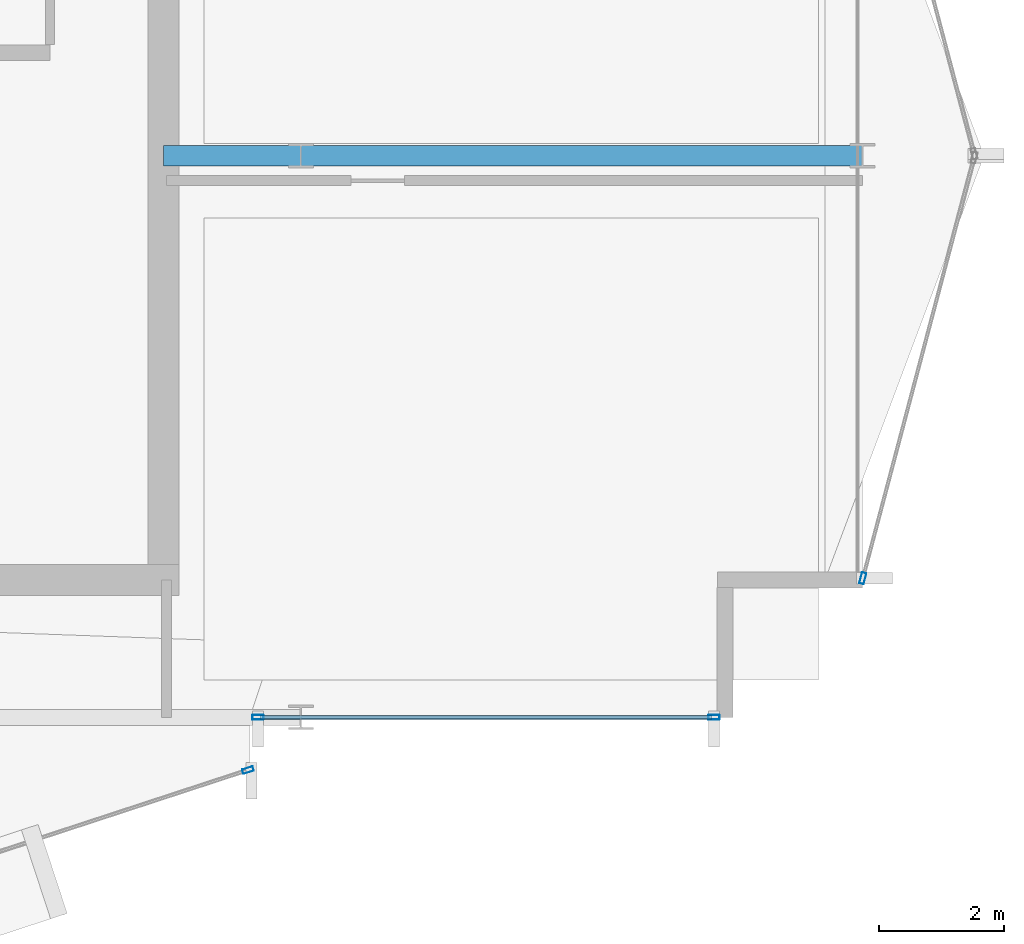
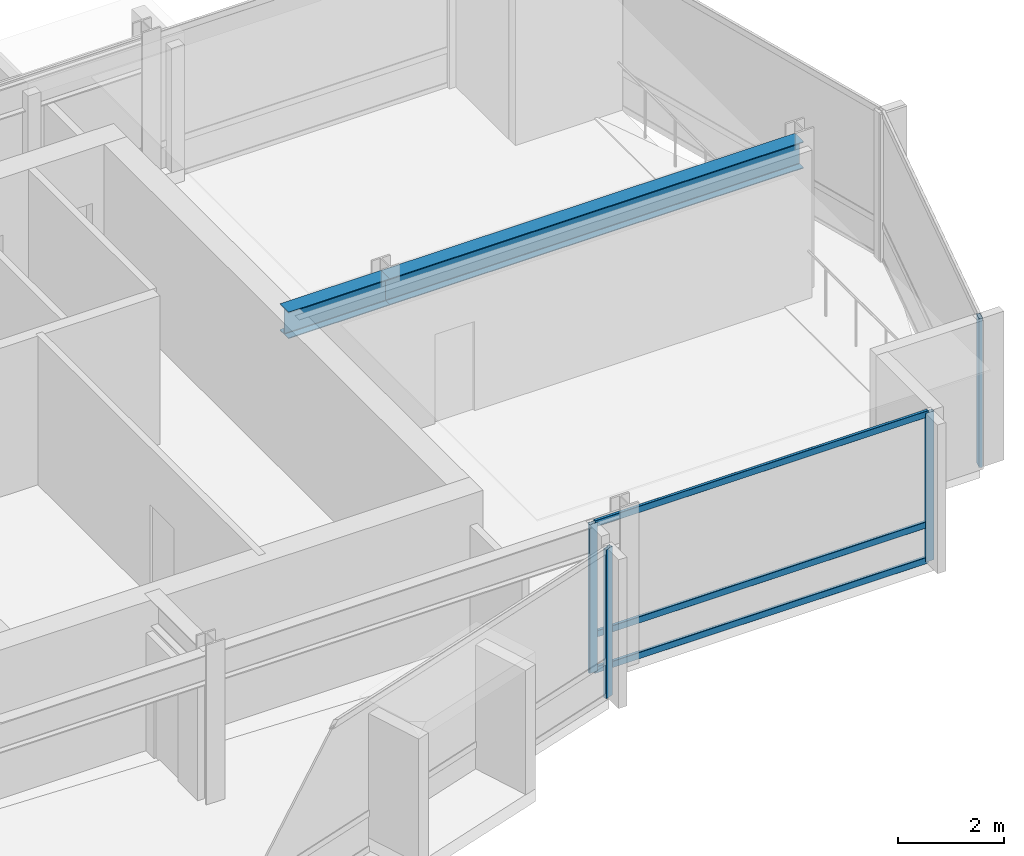
# One storey, part 10 of 27: 7 members, 2 beams, 3 elements without a shape of their own.
"""IFC4 building model written with IfcOpenShell, lengths in metres."""

from ifc_helpers import new_model, si_unit, direction, frame, origin, origin_2d, place, context, subcontext, project, spatial, hollow_rectangle, i_section, extrude, material, layer, layer_set, material_profile, profile_set, type_object, element, aggregate, save


model = new_model("IFC4")

# Units and contexts
model_context = context("Model", 3, precision=1e-05, world=origin(), true_north=direction((0.0, 1.0)))
body_context = subcontext(model_context, "Body", "Model", "MODEL_VIEW")
ifc_project = project(units=[si_unit("LENGTHUNIT", "METRE"), si_unit("AREAUNIT", "SQUARE_METRE"), si_unit("VOLUMEUNIT", "CUBIC_METRE"), si_unit("PLANEANGLEUNIT", "RADIAN"), si_unit("MASSUNIT", "GRAM", prefix="KILO")], contexts=[model_context])

# Site, building, storey
site_placement = place(None, origin())
site = spatial("IfcSite", under=ifc_project, at=site_placement, CompositionType="ELEMENT")
building_placement = place(site_placement, origin())
building = spatial("IfcBuilding", under=site, at=building_placement, Name="Solvaryn Broadcast Tower", CompositionType="ELEMENT")
storey_placement = place(building_placement, frame((0.0, 0.0, 221.0)))
storey = spatial("IfcBuildingStorey", under=building, at=storey_placement, Name="L55", CompositionType="ELEMENT", Elevation=221.0)

# Beams
ifc_material_1 = material(Name="Steel ASTM A992 Grade 50", Category="steel")
ifc_material_profile_1 = material_profile(ifc_material_1, i_section(OverallWidth=0.323974609375, OverallDepth=0.611083984375, WebThickness=0.0126953125, FlangeThickness=0.01904296875, FilletRadius=0.014892578125, at=origin_2d()))
ifc_profile_set_1 = profile_set([ifc_material_profile_1], Name="Steel ASTM A992 Grade 50")
beam_type = type_object("IfcBeamType", Name="BM-B1-W24X104", PredefinedType="BEAM", material=ifc_profile_set_1)
beam_1_placement = place(storey_placement, frame((45.0, 18.0, 3.114501953125), z_axis=(1.0, 0.0, 0.0), x_axis=(0.0, 1.0, 0.0)))
element("IfcBeam", 1, at=beam_1_placement, inside=storey, type_object=beam_type, Name="L55 Primary Beam X (45-54 @ Y=18)", PredefinedType="BEAM", context=body_context, shape_type="SweptSolid", body=[
    extrude(i_section(OverallWidth=0.323974609375, OverallDepth=0.611083984375, WebThickness=0.0126953125, FlangeThickness=0.01904296875, FilletRadius=0.014892578125, at=origin_2d()), origin(), (0.0, 0.0, 1.0), 9.0),
])
beam_2_placement = place(storey_placement, frame((42.800048828125, 18.0, 3.114501953125), z_axis=(1.0, 0.0, 0.0), x_axis=(0.0, 1.0, 0.0)))
element("IfcBeam", 2, at=beam_2_placement, inside=storey, type_object=beam_type, Name="L55 Core Tie Beam CTE3", PredefinedType="BEAM", context=body_context, shape_type="SweptSolid", body=[
    extrude(i_section(OverallWidth=0.323974609375, OverallDepth=0.611083984375, WebThickness=0.0126953125, FlangeThickness=0.01904296875, FilletRadius=0.014892578125, at=origin_2d()), origin(), (0.0, 0.0, 1.0), 2.199951171875),
])

# Curtain wall, member
ifc_material_2 = material(Name="Aluminium and Terracotta Unitised Curtain Wall", Category="masonry")
ifc_layer = layer(ifc_material_2, 0.199951171875)
ifc_layer_set = layer_set([ifc_layer], Name="CW-SYS2-LOWMID")
curtain_wall_type = type_object("IfcCurtainWallType", Name="CW-SYS2-LOWMID", PredefinedType="NOTDEFINED", material=ifc_layer_set)
curtain_wall_1_placement = place(storey_placement, origin())
curtain_wall_1 = element("IfcCurtainWall", 3, at=curtain_wall_1_placement, inside=storey, type_object=curtain_wall_type, Name="L55 Curtain Wall DR4", PredefinedType="NOTDEFINED")
ifc_material_3 = material(Name="Anodised Aluminium 6063-T6", Category="aluminium")
ifc_material_profile_2 = material_profile(ifc_material_3, hollow_rectangle(XDim=0.074951171875, YDim=0.179931640625, WallThickness=0.00390625, InnerFilletRadius=0.00390625, OuterFilletRadius=0.008056640625, at=origin_2d()))
ifc_profile_set_2 = profile_set([ifc_material_profile_2], Name="Anodised Aluminium 6063-T6")
member_type_1 = type_object("IfcMemberType", Name="CW-MUL-180", PredefinedType="MULLION", material=ifc_profile_set_2)
member_1_placement = place(storey_placement, frame((44.153564453125, 8.153564453125, 0.0), z_axis=(0.0, 0.0, 1.0), x_axis=(-0.311558717623, 0.950226902099, 0.0)))
member_1 = element("IfcMember", 4, at=member_1_placement, type_object=member_type_1, Name="CWS2 mullion 2", PredefinedType="MULLION", context=body_context, shape_type="SweptSolid", body=[
    extrude(hollow_rectangle(XDim=0.074951171875, YDim=0.179931640625, WallThickness=0.00390625, InnerFilletRadius=0.00390625, OuterFilletRadius=0.008056640625, at=origin_2d()), origin(), (0.0, 0.0, 1.0), 3.419921875),
])
aggregate(curtain_wall_1, [member_1])

# Curtain wall, members
curtain_wall_2_placement = place(storey_placement, origin())
curtain_wall_2 = element("IfcCurtainWall", 5, at=curtain_wall_2_placement, inside=storey, type_object=curtain_wall_type, Name="L55 Curtain Wall S2", PredefinedType="NOTDEFINED")
member_2_placement = place(storey_placement, frame((44.31201171875, 9.0, 0.0), z_axis=(0.0, 0.0, 1.0), x_axis=(0.0, 1.0, 0.0)))
member_2 = element("IfcMember", 6, at=member_2_placement, type_object=member_type_1, Name="CWS2 mullion 1", PredefinedType="MULLION", context=body_context, shape_type="SweptSolid", body=[
    extrude(hollow_rectangle(XDim=0.074951171875, YDim=0.179931640625, WallThickness=0.00390625, InnerFilletRadius=0.00390625, OuterFilletRadius=0.008056640625, at=origin_2d()), origin(), (0.0, 0.0, 1.0), 3.419921875),
])
member_3_placement = place(storey_placement, frame((51.6201171875, 9.0, 0.0), z_axis=(0.0, 0.0, 1.0), x_axis=(0.0, 1.0, 0.0)))
member_3 = element("IfcMember", 7, at=member_3_placement, type_object=member_type_1, Name="CWS2 mullion 2", PredefinedType="MULLION", context=body_context, shape_type="SweptSolid", body=[
    extrude(hollow_rectangle(XDim=0.074951171875, YDim=0.179931640625, WallThickness=0.00390625, InnerFilletRadius=0.00390625, OuterFilletRadius=0.008056640625, at=origin_2d()), origin(), (0.0, 0.0, 1.0), 3.419921875),
])

# Curtain wall, member
curtain_wall_3_placement = place(storey_placement, origin())
curtain_wall_3 = element("IfcCurtainWall", 8, at=curtain_wall_3_placement, inside=storey, type_object=curtain_wall_type, Name="L55 Curtain Wall ET2", PredefinedType="NOTDEFINED")
member_4_placement = place(storey_placement, frame((54.007568359375, 11.22900390625, 0.0), z_axis=(0.0, 0.0, 1.0), x_axis=(0.966705227863, -0.25589256031, 0.0)))
member_4 = element("IfcMember", 9, at=member_4_placement, type_object=member_type_1, Name="CWS2 mullion 2", PredefinedType="MULLION", context=body_context, shape_type="SweptSolid", body=[
    extrude(hollow_rectangle(XDim=0.074951171875, YDim=0.179931640625, WallThickness=0.00390625, InnerFilletRadius=0.00390625, OuterFilletRadius=0.008056640625, at=origin_2d()), origin(), (0.0, 0.0, 1.0), 3.419921875),
])
aggregate(curtain_wall_3, [member_4])

# Member
ifc_material_4 = material(Name="Anodised Aluminium 6063-T6", Category="aluminium")
ifc_material_profile_3 = material_profile(ifc_material_4, hollow_rectangle(XDim=0.06494140625, YDim=0.14990234375, WallThickness=0.00390625, InnerFilletRadius=0.00390625, OuterFilletRadius=0.008056640625, at=origin_2d()))
ifc_profile_set_3 = profile_set([ifc_material_profile_3], Name="Anodised Aluminium 6063-T6")
member_type_2 = type_object("IfcMemberType", Name="CW-TRN-150", PredefinedType="USERDEFINED", material=ifc_profile_set_3)
member_5_placement = place(storey_placement, frame((44.342041015625, 9.0, 0.030029296875), z_axis=(1.0, 0.0, 0.0), x_axis=(0.0, 1.0, 0.0)))
member_5 = element("IfcMember", 10, at=member_5_placement, type_object=member_type_2, Name="CWS2 transom 1.1", ObjectType="TRANSOM", PredefinedType="USERDEFINED", context=body_context, shape_type="SweptSolid", body=[
    extrude(hollow_rectangle(XDim=0.06494140625, YDim=0.14990234375, WallThickness=0.00390625, InnerFilletRadius=0.00390625, OuterFilletRadius=0.008056640625, at=origin_2d()), origin(), (0.0, 0.0, 1.0), 7.248046875),
])

member_6_placement = place(storey_placement, frame((44.342041015625, 9.0, 0.85009765625), z_axis=(1.0, 0.0, 0.0), x_axis=(0.0, 1.0, 0.0)))
member_6 = element("IfcMember", 11, at=member_6_placement, type_object=member_type_2, Name="CWS2 transom 1.2", ObjectType="TRANSOM", PredefinedType="USERDEFINED", context=body_context, shape_type="SweptSolid", body=[
    extrude(hollow_rectangle(XDim=0.06494140625, YDim=0.14990234375, WallThickness=0.00390625, InnerFilletRadius=0.00390625, OuterFilletRadius=0.008056640625, at=origin_2d()), origin(), (0.0, 0.0, 1.0), 7.248046875),
])

member_7_placement = place(storey_placement, frame((44.342041015625, 9.0, 3.389892578125), z_axis=(1.0, 0.0, 0.0), x_axis=(0.0, 1.0, 0.0)))
member_7 = element("IfcMember", 12, at=member_7_placement, type_object=member_type_2, Name="CWS2 transom 1.3", ObjectType="TRANSOM", PredefinedType="USERDEFINED", context=body_context, shape_type="SweptSolid", body=[
    extrude(hollow_rectangle(XDim=0.06494140625, YDim=0.14990234375, WallThickness=0.00390625, InnerFilletRadius=0.00390625, OuterFilletRadius=0.008056640625, at=origin_2d()), origin(), (0.0, 0.0, 1.0), 7.248046875),
])

aggregate(curtain_wall_2, [member_2, member_3, member_5, member_6, member_7])

save(model, "model.ifc")
